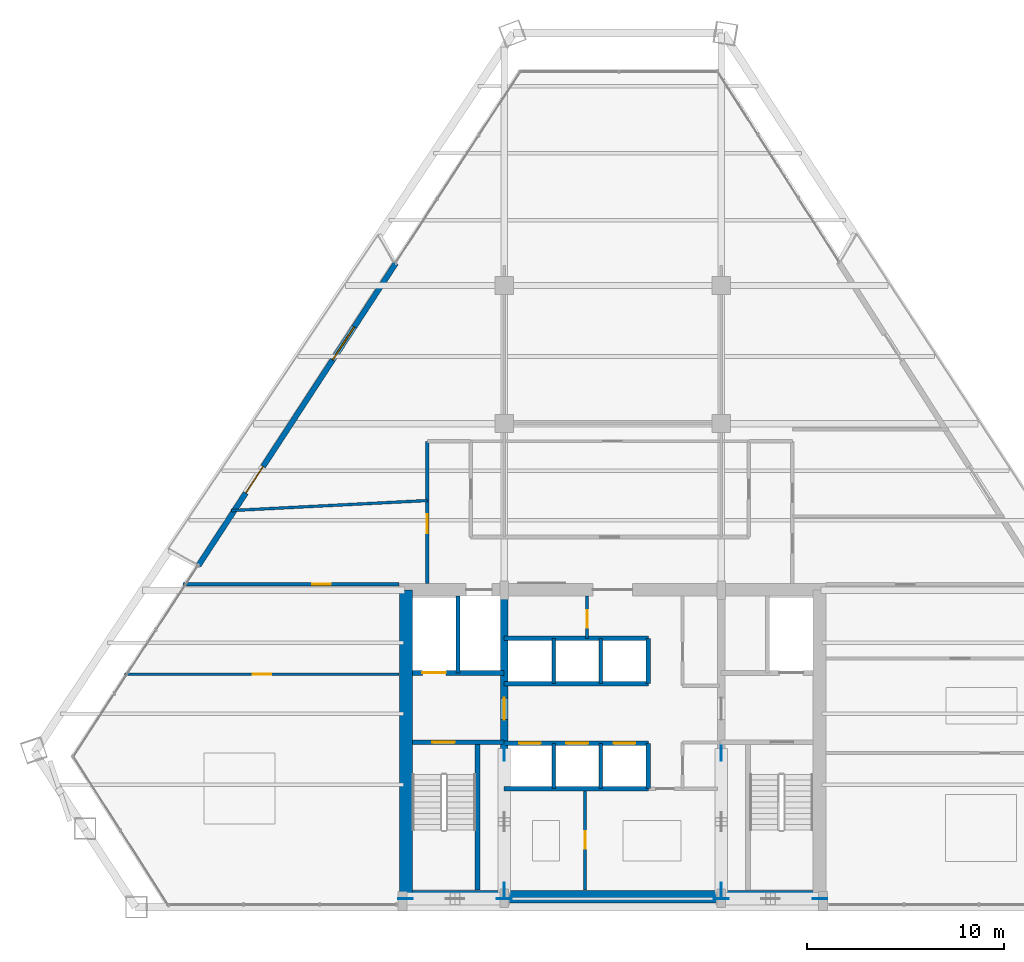
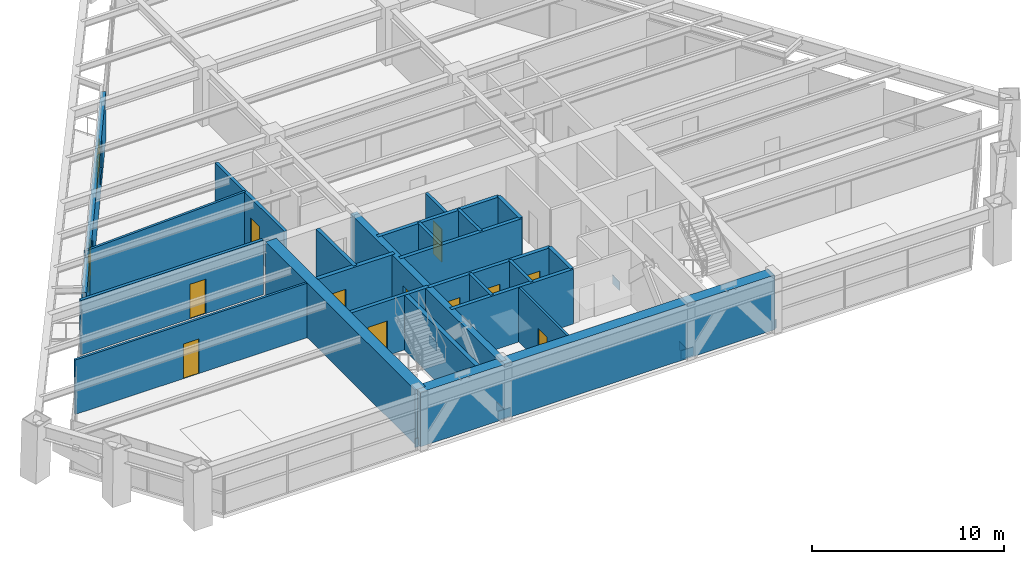
# One storey, part 11 of 15: 24 walls, 12 doors, 8 plates, 1 window, 13 openings.
"""IFC4 building model written with IfcOpenShell, lengths in metres."""

from ifc_helpers import new_model, si_unit, direction, frame, frame_2d, origin, origin_2d, place, context, subcontext, project, spatial, rectangle, extrude, source, transform, mapped, material, layer, layer_set, type_object, type_shapes, element, fill, save


model = new_model("IFC4")

# Units and contexts
model_context = context("Model", 3, precision=1e-05, world=origin(), true_north=direction((0.0, 1.0)))
body_context = subcontext(model_context, "Body", "Model", "MODEL_VIEW")
ifc_project = project(units=[si_unit("LENGTHUNIT", "METRE"), si_unit("AREAUNIT", "SQUARE_METRE"), si_unit("VOLUMEUNIT", "CUBIC_METRE"), si_unit("PLANEANGLEUNIT", "RADIAN"), si_unit("MASSUNIT", "GRAM", prefix="KILO")], contexts=[model_context])

# Site, building, storey
site_placement = place(None, origin())
site = spatial("IfcSite", under=ifc_project, at=site_placement, CompositionType="ELEMENT")
building_placement = place(site_placement, origin())
building = spatial("IfcBuilding", under=site, at=building_placement, Name="Varnakhor Terracotta Tower", CompositionType="ELEMENT")
storey_placement = place(building_placement, frame((0.0, 0.0, 136.699951171875)))
storey = spatial("IfcBuildingStorey", under=building, at=storey_placement, Name="L34", CompositionType="ELEMENT", Elevation=136.699951171875)

# Plates
ifc_material_1 = material(Name="Steel S460", Category="steel")
ifc_layer_1 = layer(ifc_material_1, 0.050048828125, Name="Steel S460")
ifc_layer_set_1 = layer_set([ifc_layer_1], Name="Steel S460")
plate_type = type_object("IfcPlateType", Name="PLT-GUSSET-50", PredefinedType="USERDEFINED", material=ifc_layer_set_1)
shared_shape_1 = source(origin(), body_context, "Body", "SweptSolid", [
    extrude(rectangle(XDim=0.75, YDim=0.0400390625, at=origin_2d()), origin(), (0.0, 0.0, 1.0), 0.550048828125),
])
type_shapes(plate_type, [shared_shape_1])
for number, where, z_axis, x_axis, name in (
    (1, (-10.5, 0.419921875, -0.09521484375), (0.0, 0.0, 1.0), (1.0, 0.0, 0.0), "L34 Core Brace Embed Plate CSWA"),
    (2, (-5.5, 0.419921875, -0.09521484375), (0.0, 0.0, 1.0), (1.0, 0.0, 0.0), "L34 Core Brace Embed Plate CSWB"),
    (3, (5.5, 0.419921875, -0.09521484375), (0.0, 0.0, 1.0), (1.0, 0.0, 0.0), "L34 Core Brace Embed Plate CSEA"),
    (4, (10.5, 0.419921875, -0.09521484375), (0.0, 0.0, 1.0), (1.0, 0.0, 0.0), "L34 Core Brace Embed Plate CSEB"),
    (5, (-5.5, 0.85009765625, -0.09521484375), (0.0, 0.0, 1.0), (0.0, 1.0, 0.0), "L34 Core Brace Embed Plate CWWA"),
    (6, (-5.5, 7.800048828125, -0.09521484375), (0.0, 0.0, 1.0), (0.0, 1.0, 0.0), "L34 Core Brace Embed Plate CWWB"),
    (7, (5.5, 0.85009765625, -0.09521484375), (0.0, 0.0, 1.0), (0.0, 1.0, 0.0), "L34 Core Brace Embed Plate CWEA"),
    (8, (5.5, 7.800048828125, -0.09521484375), (0.0, 0.0, 1.0), (0.0, 1.0, 0.0), "L34 Core Brace Embed Plate CWEB"),
):
    element("IfcPlate", number, at=place(storey_placement, frame(where, z_axis=z_axis, x_axis=x_axis)), inside=storey, type_object=plate_type, Name=name, ObjectType="GUSSET PLATE", PredefinedType="USERDEFINED", context=body_context, shape_type="MappedRepresentation", body=[
        mapped(shared_shape_1, transform((0.0, 0.0, 0.0), scale=1.0)),
    ])

# Walls
ifc_material_2 = material(Name="Concrete C50/60", Category="concrete")
ifc_layer_2 = layer(ifc_material_2, 0.64990234375, Name="Concrete C50/60")
ifc_layer_set_2 = layer_set([ifc_layer_2], Name="Concrete C50/60")
wall_type_1 = type_object("IfcWallType", Name="WAL-CORE-650", PredefinedType="SHEAR", material=ifc_layer_set_2)
wall_1_placement = place(storey_placement, frame((-10.64990234375, 0.52490234375, 0.0), z_axis=(0.0, 0.0, 1.0), x_axis=(1.0, 0.0, 0.0)))
element("IfcWall", 9, at=wall_1_placement, inside=storey, type_object=wall_type_1, Name="L34 South Core Shear Wall", PredefinedType="SHEAR", context=body_context, shape_type="SweptSolid", body=[
    extrude(rectangle(XDim=21.2998046875, YDim=0.64990234375, at=frame_2d((10.64990234375, 0.0))), origin(), (0.0, 0.0, 1.0), 3.469970703125),
])
wall_2_placement = place(storey_placement, frame((-10.47509765625, 0.52490234375, 0.0), z_axis=(0.0, 0.0, 1.0), x_axis=(0.0, 1.0, 0.0)))
element("IfcWall", 10, at=wall_2_placement, inside=storey, type_object=wall_type_1, Name="L34 West Core Shear Wall", PredefinedType="SHEAR", context=body_context, shape_type="SweptSolid", body=[
    extrude(rectangle(XDim=15.550048828125, YDim=0.64990234375, at=frame_2d((7.77490234375, 0.0))), origin(), (0.0, 0.0, 1.0), 3.469970703125),
])

# Wall, opening, door
ifc_layer_3 = layer(ifc_material_2, 0.39990234375, Name="Concrete C50/60")
ifc_layer_set_3 = layer_set([ifc_layer_3], Name="Concrete C50/60")
wall_type_2 = type_object("IfcWallType", Name="WAL-CORE-WEB-400", PredefinedType="SHEAR", material=ifc_layer_set_3)
wall_3_placement = place(storey_placement, frame((-5.5, 0.52490234375, 0.0), z_axis=(0.0, 0.0, 1.0), x_axis=(0.0, 1.0, 0.0)))
wall_3 = element("IfcWall", 11, at=wall_3_placement, inside=storey, type_object=wall_type_2, Name="L34 West Core Web Shear Wall", PredefinedType="SHEAR", context=body_context, shape_type="SweptSolid", body=[
    extrude(rectangle(XDim=15.550048828125, YDim=0.39990234375, at=frame_2d((7.77490234375, 0.0))), origin(), (0.0, 0.0, 1.0), 3.469970703125),
])
opening_1_placement = place(wall_3_placement, frame((8.97509765625, 0.0, 0.0)))
opening_1 = element("IfcOpeningElement", 12, at=opening_1_placement, cuts=wall_3, Name="Opening DR-25", PredefinedType="OPENING", context=body_context, shape_type="SweptSolid", body=[
    extrude(rectangle(XDim=1.10009765625, YDim=2.199951171875, at=frame_2d((0.550048828125, 1.10009765625))), frame((0.0, 0.2099609375, 0.0), z_axis=(0.0, -1.0, 0.0), x_axis=(1.0, 0.0, 0.0)), (0.0, 0.0, 1.0), 0.419921875),
])
ifc_material_3 = material(Name="Firefighting Lobby Self-Closing Fire Door", Category="steel")
door_type_1 = type_object("IfcDoorType", Name="DR-FFL-1100X2200", OperationType="NOTDEFINED", PredefinedType="DOOR", material=ifc_material_3)
shared_shape_2 = source(origin(), body_context, "Body", "SweptSolid", [
    extrude(rectangle(XDim=1.10009765625, YDim=2.199951171875, at=frame_2d((0.550048828125, 1.10009765625))), frame((0.0, 0.02490234375, 0.0), z_axis=(0.0, -1.0, 0.0), x_axis=(1.0, 0.0, 0.0)), (0.0, 0.0, 1.0), 0.050048828125),
])
type_shapes(door_type_1, [shared_shape_2])
door_1_placement = place(opening_1_placement, origin())
door_1 = element("IfcDoor", 13, at=door_1_placement, inside=storey, type_object=door_type_1, Name="L34 West Firefighting Lobby Door", OperationType="SINGLE_SWING_RIGHT", OverallHeight=2.199951171875, OverallWidth=1.10009765625, PredefinedType="DOOR", context=body_context, shape_type="MappedRepresentation", body=[
    mapped(shared_shape_2, transform((0.0, 0.0, 0.0), scale=1.0)),
])
fill(opening_1, door_1)

ifc_material_4 = material(Name="Fire-Rated Gypsum Stud Partition", Category="gypsum")
ifc_layer_4 = layer(ifc_material_4, 0.18505859375, Name="Fire-Rated Gypsum Stud Partition")
ifc_layer_set_4 = layer_set([ifc_layer_4], Name="Fire-Rated Gypsum Stud Partition")
wall_type_3 = type_object("IfcWallType", Name="WAL-CORR-185", PredefinedType="PARTITIONING", material=ifc_layer_set_4)
wall_4_placement = place(storey_placement, frame((-9.39990234375, 16.39990234375, 0.0), z_axis=(0.0, 0.0, 1.0), x_axis=(0.0, 1.0, 0.0)))
wall_4 = element("IfcWall", 14, at=wall_4_placement, inside=storey, type_object=wall_type_3, Name="L34 West Gallery Outer Wall", PredefinedType="PARTITIONING", context=body_context, shape_type="SweptSolid", body=[
    extrude(rectangle(XDim=7.2001953125, YDim=0.18505859375, at=frame_2d((3.60009765625, 0.0))), origin(), (0.0, 0.0, 1.0), 3.462158203125),
])
opening_2_placement = place(wall_4_placement, frame((2.546630859375, 0.0, 0.0)))
opening_2 = element("IfcOpeningElement", 15, at=opening_2_placement, cuts=wall_4, Name="Opening DR-94", PredefinedType="OPENING", context=body_context, shape_type="SweptSolid", body=[
    extrude(rectangle(XDim=0.949951171875, YDim=2.199951171875, at=frame_2d((0.47509765625, 1.10009765625))), frame((0.0, 0.1025390625, 0.0), z_axis=(0.0, -1.0, 0.0), x_axis=(1.0, 0.0, 0.0)), (0.0, 0.0, 1.0), 0.205078125),
])
ifc_material_5 = material(Name="Acoustic Glazed-Vision Timber Office Door", Category="wood")
door_type_2 = type_object("IfcDoorType", Name="DR-OFF-950X2200", OperationType="NOTDEFINED", PredefinedType="DOOR", material=ifc_material_5)
shared_shape_3 = source(origin(), body_context, "Body", "SweptSolid", [
    extrude(rectangle(XDim=0.949951171875, YDim=2.199951171875, at=frame_2d((0.47509765625, 1.10009765625))), frame((0.0, 0.02490234375, 0.0), z_axis=(0.0, -1.0, 0.0), x_axis=(1.0, 0.0, 0.0)), (0.0, 0.0, 1.0), 0.050048828125),
])
type_shapes(door_type_2, [shared_shape_3])
door_2_placement = place(opening_2_placement, origin())
door_2 = element("IfcDoor", 16, at=door_2_placement, inside=storey, type_object=door_type_2, Name="L34 West Wing Door", OperationType="SINGLE_SWING_LEFT", OverallHeight=2.199951171875, OverallWidth=0.949951171875, PredefinedType="DOOR", context=body_context, shape_type="MappedRepresentation", body=[
    mapped(shared_shape_3, transform((0.0, 0.0, 0.0), scale=1.0)),
])
fill(opening_2, door_2)

wall_5_placement = place(storey_placement, frame((-21.775634765625, 16.35009765625, 0.0), z_axis=(0.0, 0.0, 1.0), x_axis=(1.0, 0.0, 0.0)))
wall_5 = element("IfcWall", 17, at=wall_5_placement, inside=storey, type_object=wall_type_3, Name="L34 South West Entry Wall", PredefinedType="PARTITIONING", context=body_context, shape_type="SweptSolid", body=[
    extrude(rectangle(XDim=10.95556640625, YDim=0.18505859375, at=frame_2d((5.477783203125, 0.0))), origin(), (0.0, 0.0, 1.0), 3.462158203125),
])
opening_3_placement = place(wall_5_placement, frame((6.544189453125, 0.0, 0.0)))
opening_3 = element("IfcOpeningElement", 18, at=opening_3_placement, cuts=wall_5, Name="Opening DR-94", PredefinedType="OPENING", context=body_context, shape_type="SweptSolid", body=[
    extrude(rectangle(XDim=0.949951171875, YDim=2.199951171875, at=frame_2d((0.47509765625, 1.10009765625))), frame((0.0, 0.1025390625, 0.0), z_axis=(0.0, -1.0, 0.0), x_axis=(1.0, 0.0, 0.0)), (0.0, 0.0, 1.0), 0.205078125),
])
door_3_placement = place(opening_3_placement, origin())
door_3 = element("IfcDoor", 19, at=door_3_placement, inside=storey, type_object=door_type_2, Name="L34 SW Suite Door", OperationType="SINGLE_SWING_LEFT", OverallHeight=2.199951171875, OverallWidth=0.949951171875, PredefinedType="DOOR", context=body_context, shape_type="MappedRepresentation", body=[
    mapped(shared_shape_3, transform((0.0, 0.0, 0.0), scale=1.0)),
])
fill(opening_3, door_3)

# Wall, openings, door, window
ifc_material_6 = material(Name="Extruded Architectural Terracotta Assembly", Category="masonry")
ifc_layer_5 = layer(ifc_material_6, 0.280029296875, Name="Extruded Architectural Terracotta Assembly")
ifc_layer_set_5 = layer_set([ifc_layer_5], Name="Extruded Architectural Terracotta Assembly")
wall_type_4 = type_object("IfcWallType", Name="WAL-EXT-TERRACOTTA-280", PredefinedType="SOLIDWALL", material=ifc_layer_set_5)
wall_6_placement = place(storey_placement, frame((-20.9951171875, 17.3076171875, 0.0), z_axis=(0.0, 0.0, 1.0), x_axis=(0.546683321298, 0.837339445037, 0.0)))
wall_6 = element("IfcWall", 20, at=wall_6_placement, inside=storey, type_object=wall_type_4, Name="L34 W Loggia Insulated Terracotta Wall", PredefinedType="SOLIDWALL", context=body_context, shape_type="SweptSolid", body=[
    extrude(rectangle(XDim=18.295166015625, YDim=0.280029296875, at=frame_2d((9.1474609375, 0.0))), origin(), (0.0, 0.0, 1.0), 3.050048828125),
])
opening_4_placement = place(wall_6_placement, frame((4.390869140625, 0.0, 0.0)))
opening_4 = element("IfcOpeningElement", 21, at=opening_4_placement, cuts=wall_6, Name="Opening DR-62", PredefinedType="OPENING", context=body_context, shape_type="SweptSolid", body=[
    extrude(rectangle(XDim=1.60009765625, YDim=2.35009765625, at=frame_2d((0.800048828125, 1.175048828125))), frame((0.0, 0.14990234375, 0.0), z_axis=(0.0, -1.0, 0.0), x_axis=(1.0, 0.0, 0.0)), (0.0, 0.0, 1.0), 0.300048828125),
])
opening_5_placement = place(wall_6_placement, frame((12.440673828125, 0.0, 0.89990234375)))
opening_5 = element("IfcOpeningElement", 22, at=opening_5_placement, cuts=wall_6, Name="Opening WN-26", PredefinedType="OPENING", context=body_context, shape_type="SweptSolid", body=[
    extrude(rectangle(XDim=2.0, YDim=1.85009765625, at=frame_2d((1.0, 0.925048828125))), frame((0.0, 0.14990234375, 0.0), z_axis=(0.0, -1.0, 0.0), x_axis=(1.0, 0.0, 0.0)), (0.0, 0.0, 1.0), 0.300048828125),
])
ifc_material_7 = material(Name="Thermally Broken Sliding Glass Loggia Door", Category="glass")
door_type_3 = type_object("IfcDoorType", Name="DR-EXT-LOGGIA-1600X2350", OperationType="NOTDEFINED", PredefinedType="DOOR", material=ifc_material_7)
shared_shape_4 = source(origin(), body_context, "Body", "SweptSolid", [
    extrude(rectangle(XDim=1.60009765625, YDim=2.35009765625, at=frame_2d((0.800048828125, 1.175048828125))), frame((0.0, 0.02490234375, 0.0), z_axis=(0.0, -1.0, 0.0), x_axis=(1.0, 0.0, 0.0)), (0.0, 0.0, 1.0), 0.050048828125),
])
type_shapes(door_type_3, [shared_shape_4])
door_4_placement = place(opening_4_placement, origin())
door_4 = element("IfcDoor", 23, at=door_4_placement, inside=storey, type_object=door_type_3, Name="L34 W Recessed Loggia Sliding Door", OperationType="SLIDING_TO_LEFT", OverallHeight=2.35009765625, OverallWidth=1.60009765625, PredefinedType="DOOR", context=body_context, shape_type="MappedRepresentation", body=[
    mapped(shared_shape_4, transform((0.0, 0.0, 0.0), scale=1.0)),
])
fill(opening_4, door_4)
ifc_material_8 = material(Name="Solar-Control Low-E Insulated Glass Unit", Category="glass")
window_type = type_object("IfcWindowType", Name="WIN-OFF-2200X2100", PartitioningType="SINGLE_PANEL", PredefinedType="WINDOW", material=ifc_material_8)
shared_shape_5 = source(origin(), body_context, "Body", "SweptSolid", [
    extrude(rectangle(XDim=2.0, YDim=1.85009765625, at=frame_2d((1.0, 0.925048828125))), frame((0.0, 0.030029296875, 0.0), z_axis=(0.0, -1.0, 0.0), x_axis=(1.0, 0.0, 0.0)), (0.0, 0.0, 1.0), 0.06005859375),
])
type_shapes(window_type, [shared_shape_5])
window_placement = place(opening_5_placement, origin())
window = element("IfcWindow", 24, at=window_placement, inside=storey, type_object=window_type, Name="L34 W Facet Punched Window", OverallHeight=1.85009765625, OverallWidth=2.0, PartitioningType="SINGLE_PANEL", PredefinedType="WINDOW", context=body_context, shape_type="MappedRepresentation", body=[
    mapped(shared_shape_5, transform((0.0, 0.0, 0.0), scale=1.0)),
])
fill(opening_5, window)

# Wall, opening, door
ifc_material_9 = material(Name="Concrete C40/50", Category="concrete")
ifc_layer_6 = layer(ifc_material_9, 0.219970703125, Name="Concrete C40/50")
ifc_layer_set_6 = layer_set([ifc_layer_6], Name="Concrete C40/50")
wall_type_5 = type_object("IfcWallType", Name="WAL-FFLOBBY-220", PredefinedType="SOLIDWALL", material=ifc_layer_set_6)
wall_7_placement = place(storey_placement, frame((-5.5, 8.35009765625, 0.0), z_axis=(0.0, 0.0, 1.0), x_axis=(-1.0, 0.0, 0.0)))
wall_7 = element("IfcWall", 25, at=wall_7_placement, inside=storey, type_object=wall_type_5, Name="L34 West Firefighting Lobby Stair Wall", PredefinedType="SOLIDWALL", context=body_context, shape_type="SweptSolid", body=[
    extrude(rectangle(XDim=4.64990234375, YDim=0.219970703125, at=frame_2d((2.324951171875, 0.0))), origin(), (0.0, 0.0, 1.0), 3.469970703125),
])
opening_6_placement = place(wall_7_placement, frame((2.5, 0.0, 0.0)))
opening_6 = element("IfcOpeningElement", 26, at=opening_6_placement, cuts=wall_7, Name="Opening DR-34", PredefinedType="OPENING", context=body_context, shape_type="SweptSolid", body=[
    extrude(rectangle(XDim=1.14990234375, YDim=2.199951171875, at=frame_2d((0.574951171875, 1.10009765625))), frame((0.0, 0.1201171875, 0.0), z_axis=(0.0, -1.0, 0.0), x_axis=(1.0, 0.0, 0.0)), (0.0, 0.0, 1.0), 0.239990234375),
])
ifc_material_10 = material(Name="Self-Closing Smoke-Sealed Steel Fire Door", Category="steel")
door_type_4 = type_object("IfcDoorType", Name="DR-STAIR-1150X2200", OperationType="NOTDEFINED", PredefinedType="DOOR", material=ifc_material_10)
shared_shape_6 = source(origin(), body_context, "Body", "SweptSolid", [
    extrude(rectangle(XDim=1.14990234375, YDim=2.199951171875, at=frame_2d((0.574951171875, 1.10009765625))), frame((0.0, 0.02490234375, 0.0), z_axis=(0.0, -1.0, 0.0), x_axis=(1.0, 0.0, 0.0)), (0.0, 0.0, 1.0), 0.050048828125),
])
type_shapes(door_type_4, [shared_shape_6])
door_5_placement = place(opening_6_placement, origin())
door_5 = element("IfcDoor", 27, at=door_5_placement, inside=storey, type_object=door_type_4, Name="L34 Exit Stair ST-1 Fire Door", OperationType="SINGLE_SWING_LEFT", OverallHeight=2.199951171875, OverallWidth=1.14990234375, PredefinedType="DOOR", context=body_context, shape_type="MappedRepresentation", body=[
    mapped(shared_shape_6, transform((0.0, 0.0, 0.0), scale=1.0)),
])
fill(opening_6, door_5)

ifc_material_11 = material(Name="Acoustic Metal-Stud Partition", Category="gypsum")
ifc_layer_7 = layer(ifc_material_11, 0.139892578125, Name="Acoustic Metal-Stud Partition")
ifc_layer_set_7 = layer_set([ifc_layer_7], Name="Acoustic Metal-Stud Partition")
wall_type_6 = type_object("IfcWallType", Name="WAL-PART-140", PredefinedType="PARTITIONING", material=ifc_layer_set_7)
wall_8_placement = place(storey_placement, frame((-24.74609375, 11.800048828125, 0.0), z_axis=(0.0, 0.0, 1.0), x_axis=(1.0, 0.0, 0.0)))
wall_8 = element("IfcWall", 28, at=wall_8_placement, inside=storey, type_object=wall_type_6, Name="L34 West Wing Cut 1", PredefinedType="PARTITIONING", context=body_context, shape_type="SweptSolid", body=[
    extrude(rectangle(XDim=13.926025390625, YDim=0.139892578125, at=frame_2d((6.962890625, 0.0))), origin(), (0.0, 0.0, 1.0), 3.462158203125),
])
opening_7_placement = place(wall_8_placement, frame((6.497802734375, 0.0, 0.0)))
opening_7 = element("IfcOpeningElement", 29, at=opening_7_placement, cuts=wall_8, Name="Opening DR-94", PredefinedType="OPENING", context=body_context, shape_type="SweptSolid", body=[
    extrude(rectangle(XDim=0.949951171875, YDim=2.199951171875, at=frame_2d((0.47509765625, 1.10009765625))), frame((0.0, 0.080078125, 0.0), z_axis=(0.0, -1.0, 0.0), x_axis=(1.0, 0.0, 0.0)), (0.0, 0.0, 1.0), 0.159912109375),
])
door_6_placement = place(opening_7_placement, origin())
door_6 = element("IfcDoor", 30, at=door_6_placement, inside=storey, type_object=door_type_2, Name="L34 Counsel Office 7 Door", OperationType="SINGLE_SWING_LEFT", OverallHeight=2.199951171875, OverallWidth=0.949951171875, PredefinedType="DOOR", context=body_context, shape_type="MappedRepresentation", body=[
    mapped(shared_shape_3, transform((0.0, 0.0, 0.0), scale=1.0)),
])
fill(opening_7, door_6)

# Walls
wall_9_placement = place(storey_placement, frame((-19.332275390625, 20.09228515625, 0.0), z_axis=(0.0, 0.0, 1.0), x_axis=(0.998695571357, 0.051060314835, 0.0)))
element("IfcWall", 31, at=wall_9_placement, inside=storey, type_object=wall_type_6, Name="L34 West Wing Cut 2", PredefinedType="PARTITIONING", context=body_context, shape_type="SweptSolid", body=[
    extrude(rectangle(XDim=9.9453125, YDim=0.139892578125, at=frame_2d((4.97265625, 0.0))), origin(), (0.0, 0.0, 1.0), 3.462158203125),
])
ifc_layer_8 = layer(ifc_material_9, 0.179931640625, Name="Concrete C40/50")
ifc_layer_set_8 = layer_set([ifc_layer_8], Name="Concrete C40/50")
wall_type_7 = type_object("IfcWallType", Name="WAL-SHAFT-180", PredefinedType="SOLIDWALL", material=ifc_layer_set_8)
for number, where, z_axis, x_axis, name in (
    (32, (-3.0, 6.0, 0.0), (0.0, 0.0, 1.0), (0.0, 1.0, 0.0), "L34 PL-2A Divider"),
    (33, (-0.60009765625, 6.0, 0.0), (0.0, 0.0, 1.0), (0.0, 1.0, 0.0), "L34 PL-2B Divider"),
    (34, (-3.0, 11.320068359375, 0.0), (0.0, 0.0, 1.0), (0.0, 1.0, 0.0), "L34 PL-3A Divider"),
    (35, (-0.60009765625, 11.320068359375, 0.0), (0.0, 0.0, 1.0), (0.0, 1.0, 0.0), "L34 PL-3B Divider"),
):
    element("IfcWall", number, at=place(storey_placement, frame(where, z_axis=z_axis, x_axis=x_axis)), inside=storey, type_object=wall_type_7, Name=name, PredefinedType="SOLIDWALL", context=body_context, shape_type="SweptSolid", body=[
        extrude(rectangle(XDim=2.300048828125, YDim=0.179931640625, at=frame_2d((1.14990234375, 0.0))), origin(), (0.0, 0.0, 1.0), 3.469970703125),
    ])
ifc_layer_9 = layer(ifc_material_9, 0.219970703125, Name="Concrete C40/50")
ifc_layer_set_9 = layer_set([ifc_layer_9], Name="Concrete C40/50")
wall_type_8 = type_object("IfcWallType", Name="WAL-SHAFT-220", PredefinedType="SOLIDWALL", material=ifc_layer_set_9)
wall_10_placement = place(storey_placement, frame((-7.840087890625, 11.8701171875, 0.0), z_axis=(0.0, 0.0, 1.0), x_axis=(0.0, 1.0, 0.0)))
element("IfcWall", 36, at=wall_10_placement, inside=storey, type_object=wall_type_8, Name="L34 Lift FFL-1 and SVL-1 Divider Wall", PredefinedType="SOLIDWALL", context=body_context, shape_type="SweptSolid", body=[
    extrude(rectangle(XDim=3.8798828125, YDim=0.219970703125, at=frame_2d((1.93994140625, 0.0))), origin(), (0.0, 0.0, 1.0), 3.469970703125),
])
wall_11_placement = place(storey_placement, frame((-5.5, 6.0, 0.0), z_axis=(0.0, 0.0, 1.0), x_axis=(1.0, 0.0, 0.0)))
element("IfcWall", 37, at=wall_11_placement, inside=storey, type_object=wall_type_8, Name="L34 Bank 2 South Shaft Wall", PredefinedType="SOLIDWALL", context=body_context, shape_type="SweptSolid", body=[
    extrude(rectangle(XDim=7.320068359375, YDim=0.219970703125, at=frame_2d((3.66015625, 0.0))), origin(), (0.0, 0.0, 1.0), 3.469970703125),
])

# Wall, openings, doors
wall_12_placement = place(storey_placement, frame((-5.5, 8.300048828125, 0.0), z_axis=(0.0, 0.0, 1.0), x_axis=(1.0, 0.0, 0.0)))
wall_12 = element("IfcWall", 38, at=wall_12_placement, inside=storey, type_object=wall_type_8, Name="L34 Bank 2 North Shaft Wall", PredefinedType="SOLIDWALL", context=body_context, shape_type="SweptSolid", body=[
    extrude(rectangle(XDim=7.320068359375, YDim=0.219970703125, at=frame_2d((3.66015625, 0.0))), origin(), (0.0, 0.0, 1.0), 3.469970703125),
])
opening_8_placement = place(wall_12_placement, frame((0.75, 0.0, 0.0)))
opening_8 = element("IfcOpeningElement", 39, at=opening_8_placement, cuts=wall_12, Name="Opening LD-01", PredefinedType="OPENING", context=body_context, shape_type="SweptSolid", body=[
    extrude(rectangle(XDim=1.10009765625, YDim=2.199951171875, at=frame_2d((0.550048828125, 1.10009765625))), frame((0.0, 0.1201171875, 0.0), z_axis=(0.0, -1.0, 0.0), x_axis=(1.0, 0.0, 0.0)), (0.0, 0.0, 1.0), 0.239990234375),
])
opening_9_placement = place(wall_12_placement, frame((3.14990234375, 0.0, 0.0)))
opening_9 = element("IfcOpeningElement", 40, at=opening_9_placement, cuts=wall_12, Name="Opening LD-01", PredefinedType="OPENING", context=body_context, shape_type="SweptSolid", body=[
    extrude(rectangle(XDim=1.10009765625, YDim=2.199951171875, at=frame_2d((0.550048828125, 1.10009765625))), frame((0.0, 0.1201171875, 0.0), z_axis=(0.0, -1.0, 0.0), x_axis=(1.0, 0.0, 0.0)), (0.0, 0.0, 1.0), 0.239990234375),
])
opening_10_placement = place(wall_12_placement, frame((5.550048828125, 0.0, 0.0)))
opening_10 = element("IfcOpeningElement", 41, at=opening_10_placement, cuts=wall_12, Name="Opening LD-01", PredefinedType="OPENING", context=body_context, shape_type="SweptSolid", body=[
    extrude(rectangle(XDim=1.10009765625, YDim=2.199951171875, at=frame_2d((0.550048828125, 1.10009765625))), frame((0.0, 0.1201171875, 0.0), z_axis=(0.0, -1.0, 0.0), x_axis=(1.0, 0.0, 0.0)), (0.0, 0.0, 1.0), 0.239990234375),
])
ifc_material_12 = material(Name="Brushed Stainless Steel Sliding Lift Landing Door", Category="steel")
door_type_5 = type_object("IfcDoorType", Name="LD-PASS-1100X2200", OperationType="NOTDEFINED", PredefinedType="DOOR", material=ifc_material_12)
shared_shape_7 = source(origin(), body_context, "Body", "SweptSolid", [
    extrude(rectangle(XDim=1.10009765625, YDim=2.199951171875, at=frame_2d((0.550048828125, 1.10009765625))), frame((0.0, 0.02490234375, 0.0), z_axis=(0.0, -1.0, 0.0), x_axis=(1.0, 0.0, 0.0)), (0.0, 0.0, 1.0), 0.050048828125),
])
type_shapes(door_type_5, [shared_shape_7])
door_7_placement = place(opening_8_placement, origin())
door_7 = element("IfcDoor", 42, at=door_7_placement, inside=storey, type_object=door_type_5, Name="L34 Passenger Lift PL-2A Landing Door", OperationType="SLIDING_TO_LEFT", OverallHeight=2.199951171875, OverallWidth=1.10009765625, PredefinedType="DOOR", context=body_context, shape_type="MappedRepresentation", body=[
    mapped(shared_shape_7, transform((0.0, 0.0, 0.0), scale=1.0)),
])
fill(opening_8, door_7)
door_8_placement = place(opening_9_placement, origin())
door_8 = element("IfcDoor", 43, at=door_8_placement, inside=storey, type_object=door_type_5, Name="L34 Passenger Lift PL-2B Landing Door", OperationType="SLIDING_TO_LEFT", OverallHeight=2.199951171875, OverallWidth=1.10009765625, PredefinedType="DOOR", context=body_context, shape_type="MappedRepresentation", body=[
    mapped(shared_shape_7, transform((0.0, 0.0, 0.0), scale=1.0)),
])
fill(opening_9, door_8)
door_9_placement = place(opening_10_placement, origin())
door_9 = element("IfcDoor", 44, at=door_9_placement, inside=storey, type_object=door_type_5, Name="L34 Passenger Lift PL-2C Landing Door", OperationType="SLIDING_TO_LEFT", OverallHeight=2.199951171875, OverallWidth=1.10009765625, PredefinedType="DOOR", context=body_context, shape_type="MappedRepresentation", body=[
    mapped(shared_shape_7, transform((0.0, 0.0, 0.0), scale=1.0)),
])
fill(opening_10, door_9)

# Walls
wall_13_placement = place(storey_placement, frame((1.800048828125, 6.0, 0.0), z_axis=(0.0, 0.0, 1.0), x_axis=(0.0, 1.0, 0.0)))
element("IfcWall", 45, at=wall_13_placement, inside=storey, type_object=wall_type_8, Name="L34 Bank 2 East Shaft Wall", PredefinedType="SOLIDWALL", context=body_context, shape_type="SweptSolid", body=[
    extrude(rectangle(XDim=2.300048828125, YDim=0.219970703125, at=frame_2d((1.14990234375, 0.0))), origin(), (0.0, 0.0, 1.0), 3.469970703125),
])
for number, where, z_axis, x_axis, name in (
    (46, (-5.5, 11.320068359375, 0.0), (0.0, 0.0, 1.0), (1.0, 0.0, 0.0), "L34 Bank 3 South Shaft Wall"),
    (47, (-5.5, 13.6201171875, 0.0), (0.0, 0.0, 1.0), (1.0, 0.0, 0.0), "L34 Bank 3 North Shaft Wall"),
):
    element("IfcWall", number, at=place(storey_placement, frame(where, z_axis=z_axis, x_axis=x_axis)), inside=storey, type_object=wall_type_8, Name=name, PredefinedType="SOLIDWALL", context=body_context, shape_type="SweptSolid", body=[
        extrude(rectangle(XDim=7.320068359375, YDim=0.219970703125, at=frame_2d((3.66015625, 0.0))), origin(), (0.0, 0.0, 1.0), 3.469970703125),
    ])
wall_14_placement = place(storey_placement, frame((1.800048828125, 11.320068359375, 0.0), z_axis=(0.0, 0.0, 1.0), x_axis=(0.0, 1.0, 0.0)))
element("IfcWall", 48, at=wall_14_placement, inside=storey, type_object=wall_type_8, Name="L34 Bank 3 East Shaft Wall", PredefinedType="SOLIDWALL", context=body_context, shape_type="SweptSolid", body=[
    extrude(rectangle(XDim=2.300048828125, YDim=0.219970703125, at=frame_2d((1.14990234375, 0.0))), origin(), (0.0, 0.0, 1.0), 3.469970703125),
])
ifc_layer_10 = layer(ifc_material_9, 0.25, Name="Concrete C40/50")
ifc_layer_set_10 = layer_set([ifc_layer_10], Name="Concrete C40/50")
wall_type_9 = type_object("IfcWallType", Name="WAL-SHAFT-250", PredefinedType="SOLIDWALL", material=ifc_layer_set_10)
wall_15_placement = place(storey_placement, frame((-6.85009765625, 0.85009765625, 0.0), z_axis=(0.0, 0.0, 1.0), x_axis=(0.0, 1.0, 0.0)))
element("IfcWall", 49, at=wall_15_placement, inside=storey, type_object=wall_type_9, Name="L34 Stair ST-1 Bearing Shaft Wall", PredefinedType="SOLIDWALL", context=body_context, shape_type="SweptSolid", body=[
    extrude(rectangle(XDim=7.5, YDim=0.25, at=frame_2d((3.75, 0.0))), origin(), (0.0, 0.0, 1.0), 3.469970703125),
])

# Wall, opening, door
wall_16_placement = place(storey_placement, frame((-5.5, 11.8701171875, 0.0), z_axis=(0.0, 0.0, 1.0), x_axis=(-1.0, 0.0, 0.0)))
wall_16 = element("IfcWall", 50, at=wall_16_placement, inside=storey, type_object=wall_type_9, Name="L34 Lift FFL-1 Shaft Front Wall", PredefinedType="SOLIDWALL", context=body_context, shape_type="SweptSolid", body=[
    extrude(rectangle(XDim=4.64990234375, YDim=0.25, at=frame_2d((2.324951171875, 0.0))), origin(), (0.0, 0.0, 1.0), 3.469970703125),
])
opening_11_placement = place(wall_16_placement, frame((2.949951171875, 0.0, 0.0)))
opening_11 = element("IfcOpeningElement", 51, at=opening_11_placement, cuts=wall_16, Name="Opening LD-02", PredefinedType="OPENING", context=body_context, shape_type="SweptSolid", body=[
    extrude(rectangle(XDim=1.199951171875, YDim=2.25, at=frame_2d((0.60009765625, 1.125))), frame((0.0, 0.135009765625, 0.0), z_axis=(0.0, -1.0, 0.0), x_axis=(1.0, 0.0, 0.0)), (0.0, 0.0, 1.0), 0.27001953125),
])
ifc_material_13 = material(Name="Firefighting Stretcher Sliding Lift Landing Door", Category="steel")
door_type_6 = type_object("IfcDoorType", Name="LD-FFL-1200X2250", OperationType="NOTDEFINED", PredefinedType="DOOR", material=ifc_material_13)
shared_shape_8 = source(origin(), body_context, "Body", "SweptSolid", [
    extrude(rectangle(XDim=1.199951171875, YDim=2.25, at=frame_2d((0.60009765625, 1.125))), frame((0.0, 0.02490234375, 0.0), z_axis=(0.0, -1.0, 0.0), x_axis=(1.0, 0.0, 0.0)), (0.0, 0.0, 1.0), 0.050048828125),
])
type_shapes(door_type_6, [shared_shape_8])
door_10_placement = place(opening_11_placement, origin())
door_10 = element("IfcDoor", 52, at=door_10_placement, inside=storey, type_object=door_type_6, Name="L34 Firefighting Lift FFL-1 Landing Door", OperationType="SLIDING_TO_LEFT", OverallHeight=2.25, OverallWidth=1.199951171875, PredefinedType="DOOR", context=body_context, shape_type="MappedRepresentation", body=[
    mapped(shared_shape_8, transform((0.0, 0.0, 0.0), scale=1.0)),
])
fill(opening_11, door_10)

ifc_material_14 = material(Name="Acoustic Fire-Rated Partition", Category="gypsum")
ifc_layer_11 = layer(ifc_material_14, 0.139892578125, Name="Acoustic Fire-Rated Partition")
ifc_layer_set_11 = layer_set([ifc_layer_11], Name="Acoustic Fire-Rated Partition")
wall_type_10 = type_object("IfcWallType", Name="WAL-TENANCY-140", PredefinedType="PARTITIONING", material=ifc_layer_set_11)
wall_17_placement = place(storey_placement, frame((-1.39990234375, 0.85009765625, 0.0), z_axis=(0.0, 0.0, 1.0), x_axis=(0.0, 1.0, 0.0)))
wall_17 = element("IfcWall", 53, at=wall_17_placement, inside=storey, type_object=wall_type_10, Name="L34 Reclaimed Core Bay Split Wall", PredefinedType="PARTITIONING", context=body_context, shape_type="SweptSolid", body=[
    extrude(rectangle(XDim=5.02978515625, YDim=0.139892578125, at=frame_2d((2.514892578125, 0.0))), origin(), (0.0, 0.0, 1.0), 3.462158203125),
])
opening_12_placement = place(wall_17_placement, frame((2.10009765625, 0.0, 0.0)))
opening_12 = element("IfcOpeningElement", 54, at=opening_12_placement, cuts=wall_17, Name="Opening DR-67", PredefinedType="OPENING", context=body_context, shape_type="SweptSolid", body=[
    extrude(rectangle(XDim=0.89990234375, YDim=2.10009765625, at=frame_2d((0.449951171875, 1.050048828125))), frame((0.0, 0.080078125, 0.0), z_axis=(0.0, -1.0, 0.0), x_axis=(1.0, 0.0, 0.0)), (0.0, 0.0, 1.0), 0.159912109375),
])
ifc_material_15 = material(Name="Steel Service Riser Fire Door", Category="steel")
door_type_7 = type_object("IfcDoorType", Name="DR-RISER-900X2100", OperationType="NOTDEFINED", PredefinedType="DOOR", material=ifc_material_15)
shared_shape_9 = source(origin(), body_context, "Body", "SweptSolid", [
    extrude(rectangle(XDim=0.89990234375, YDim=2.10009765625, at=frame_2d((0.449951171875, 1.050048828125))), frame((0.0, 0.02490234375, 0.0), z_axis=(0.0, -1.0, 0.0), x_axis=(1.0, 0.0, 0.0)), (0.0, 0.0, 1.0), 0.050048828125),
])
type_shapes(door_type_7, [shared_shape_9])
door_11_placement = place(opening_12_placement, origin())
door_11 = element("IfcDoor", 55, at=door_11_placement, inside=storey, type_object=door_type_7, Name="L34 Core Inner Service Door", OperationType="SINGLE_SWING_RIGHT", OverallHeight=2.10009765625, OverallWidth=0.89990234375, PredefinedType="DOOR", context=body_context, shape_type="MappedRepresentation", body=[
    mapped(shared_shape_9, transform((0.0, 0.0, 0.0), scale=1.0)),
])
fill(opening_12, door_11)

ifc_layer_12 = layer(ifc_material_14, 0.1650390625, Name="Acoustic Fire-Rated Partition")
ifc_layer_set_12 = layer_set([ifc_layer_12], Name="Acoustic Fire-Rated Partition")
wall_type_11 = type_object("IfcWallType", Name="WAL-TENANCY-165", PredefinedType="PARTITIONING", material=ifc_layer_set_12)
wall_18_placement = place(storey_placement, frame((-1.300048828125, 13.60009765625, 0.0), z_axis=(0.0, 0.0, 1.0), x_axis=(0.0, 1.0, 0.0)))
wall_18 = element("IfcWall", 56, at=wall_18_placement, inside=storey, type_object=wall_type_11, Name="L34 Male Restroom Wall", PredefinedType="PARTITIONING", context=body_context, shape_type="SweptSolid", body=[
    extrude(rectangle(XDim=2.14990234375, YDim=0.1650390625, at=frame_2d((1.074951171875, 0.0))), origin(), (0.0, 0.0, 1.0), 3.462158203125),
])
opening_13_placement = place(wall_18_placement, frame((0.550048828125, 0.0, 0.0)))
opening_13 = element("IfcOpeningElement", 57, at=opening_13_placement, cuts=wall_18, Name="Opening DR-67", PredefinedType="OPENING", context=body_context, shape_type="SweptSolid", body=[
    extrude(rectangle(XDim=0.89990234375, YDim=2.10009765625, at=frame_2d((0.449951171875, 1.050048828125))), frame((0.0, 0.092529296875, 0.0), z_axis=(0.0, -1.0, 0.0), x_axis=(1.0, 0.0, 0.0)), (0.0, 0.0, 1.0), 0.18505859375),
])
door_12_placement = place(opening_13_placement, origin())
door_12 = element("IfcDoor", 58, at=door_12_placement, inside=storey, type_object=door_type_7, Name="L34 Male WC Door", OperationType="SINGLE_SWING_RIGHT", OverallHeight=2.10009765625, OverallWidth=0.89990234375, PredefinedType="DOOR", context=body_context, shape_type="MappedRepresentation", body=[
    mapped(shared_shape_9, transform((0.0, 0.0, 0.0), scale=1.0)),
])
fill(opening_13, door_12)

save(model, "model.ifc")
